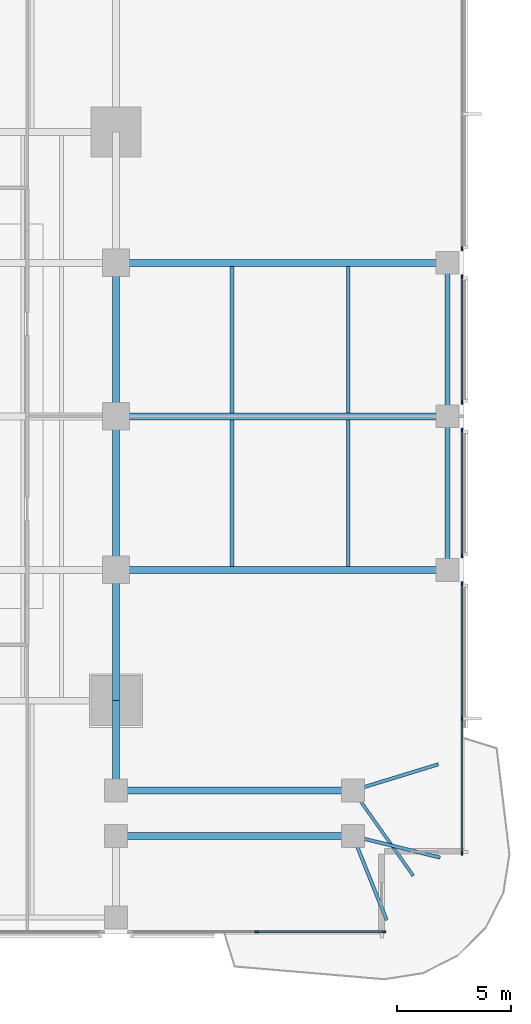
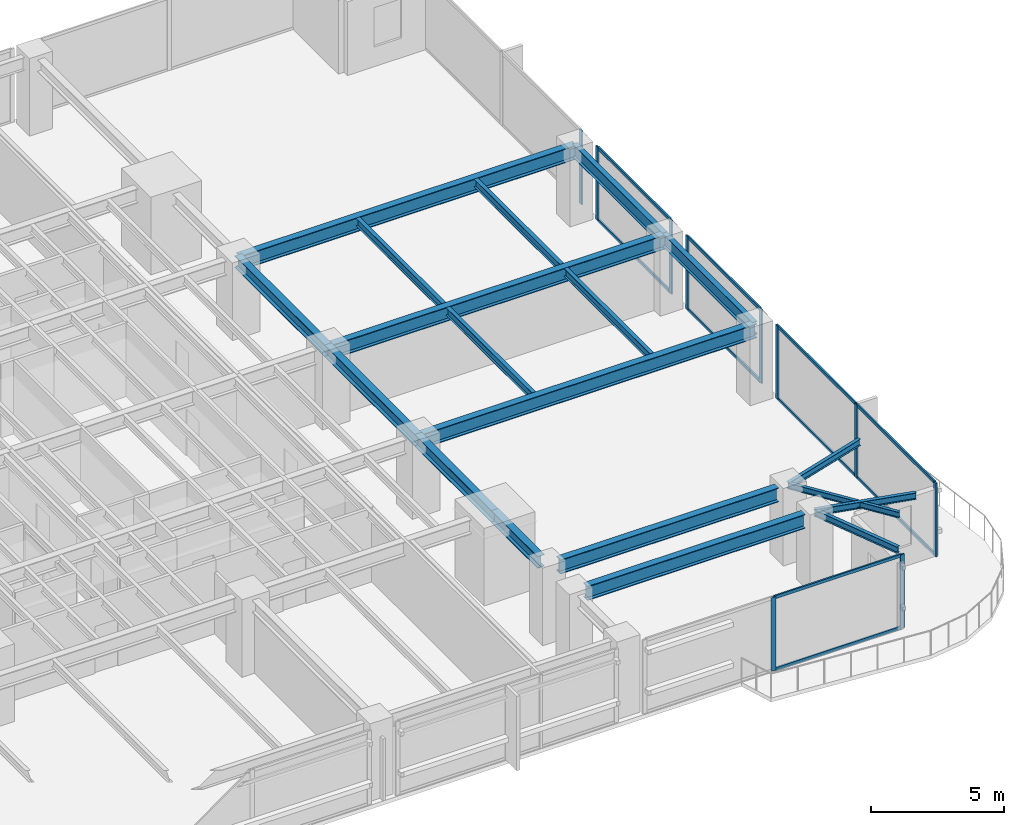
# One storey, part 4 of 15: 20 members, 19 beams, 5 elements without a shape of their own.
"""IFC4 building model written with IfcOpenShell, lengths in metres."""

from ifc_helpers import new_model, si_unit, direction, frame, origin, origin_2d, place, context, subcontext, project, spatial, rectangle, i_section, extrude, material, layer, layer_set, material_profile, profile_set, type_object, element, aggregate, save


model = new_model("IFC4")

# Units and contexts
model_context = context("Model", 3, precision=1e-05, world=origin(), true_north=direction((0.0, 1.0)))
body_context = subcontext(model_context, "Body", "Model", "MODEL_VIEW")
ifc_project = project(units=[si_unit("LENGTHUNIT", "METRE"), si_unit("AREAUNIT", "SQUARE_METRE"), si_unit("VOLUMEUNIT", "CUBIC_METRE"), si_unit("PLANEANGLEUNIT", "RADIAN"), si_unit("MASSUNIT", "GRAM", prefix="KILO")], contexts=[model_context])

# Site, building, storey
site_placement = place(None, origin())
site = spatial("IfcSite", under=ifc_project, at=site_placement, CompositionType="ELEMENT")
building_placement = place(site_placement, origin())
building = spatial("IfcBuilding", under=site, at=building_placement, Name="Kinhvarn Gate Tower", CompositionType="ELEMENT")
storey_placement = place(building_placement, frame((0.0, 0.0, 43.35009765625)))
storey = spatial("IfcBuildingStorey", under=building, at=storey_placement, Name="L10", CompositionType="ELEMENT", Elevation=43.35009765625)

# Curtain wall, members
ifc_material_1 = material(Name="Anodised aluminium AW-6063", Category="aluminium")
ifc_layer = layer(ifc_material_1, 0.179931640625)
ifc_layer_set = layer_set([ifc_layer], Name="Anodised aluminium AW-6063")
curtain_wall_type = type_object("IfcCurtainWallType", Name="CW-SYS-2", PredefinedType="NOTDEFINED", material=ifc_layer_set)
curtain_wall_1_placement = place(storey_placement, origin())
curtain_wall_1 = element("IfcCurtainWall", 1, at=curtain_wall_1_placement, inside=storey, type_object=curtain_wall_type, Name="Curtain Wall CW2 (L10)", PredefinedType="NOTDEFINED")
ifc_material_profile_1 = material_profile(ifc_material_1, rectangle(XDim=0.070068359375, YDim=0.179931640625, at=origin_2d()), Name="ALU 70x180")
ifc_profile_set_1 = profile_set([ifc_material_profile_1], Name="Anodised aluminium AW-6063")
member_type_1 = type_object("IfcMemberType", Name="CW-MUL-180", PredefinedType="MULLION", material=ifc_profile_set_1)
member_1_placement = place(storey_placement, frame((44.389892578125, 2.590087890625, 0.0), z_axis=(0.0, 0.0, 1.0), x_axis=(0.0, 1.0, 0.0)))
member_1 = element("IfcMember", 2, at=member_1_placement, type_object=member_type_1, Name="CW2 mullion 2", PredefinedType="MULLION", context=body_context, shape_type="SweptSolid", body=[
    extrude(rectangle(XDim=0.070068359375, YDim=0.179931640625, at=origin_2d()), origin(), (0.0, 0.0, 1.0), 3.369873046875),
])
member_2_placement = place(storey_placement, frame((49.965087890625, 2.590087890625, 0.0), z_axis=(0.0, 0.0, 1.0), x_axis=(0.0, 1.0, 0.0)))
member_2 = element("IfcMember", 3, at=member_2_placement, type_object=member_type_1, Name="CW2 mullion 3", PredefinedType="MULLION", context=body_context, shape_type="SweptSolid", body=[
    extrude(rectangle(XDim=0.070068359375, YDim=0.179931640625, at=origin_2d()), origin(), (0.0, 0.0, 1.0), 3.369873046875),
])

curtain_wall_2_placement = place(storey_placement, origin())
curtain_wall_2 = element("IfcCurtainWall", 4, at=curtain_wall_2_placement, inside=storey, type_object=curtain_wall_type, Name="Curtain Wall CW2 (L10)", PredefinedType="NOTDEFINED")
member_3_placement = place(storey_placement, frame((53.409912109375, 6.034912109375, 0.0), z_axis=(0.0, 0.0, 1.0), x_axis=(-1.0, 0.0, 0.0)))
member_3 = element("IfcMember", 5, at=member_3_placement, type_object=member_type_1, Name="CW2 mullion 1", PredefinedType="MULLION", context=body_context, shape_type="SweptSolid", body=[
    extrude(rectangle(XDim=0.070068359375, YDim=0.179931640625, at=origin_2d()), origin(), (0.0, 0.0, 1.0), 3.369873046875),
])
member_4_placement = place(storey_placement, frame((53.409912109375, 11.9599609375, 0.0), z_axis=(0.0, 0.0, 1.0), x_axis=(-1.0, 0.0, 0.0)))
member_4 = element("IfcMember", 6, at=member_4_placement, type_object=member_type_1, Name="CW2 mullion 2", PredefinedType="MULLION", context=body_context, shape_type="SweptSolid", body=[
    extrude(rectangle(XDim=0.070068359375, YDim=0.179931640625, at=origin_2d()), origin(), (0.0, 0.0, 1.0), 3.369873046875),
])
member_5_placement = place(storey_placement, frame((53.409912109375, 17.885009765625, 0.0), z_axis=(0.0, 0.0, 1.0), x_axis=(-1.0, 0.0, 0.0)))
member_5 = element("IfcMember", 7, at=member_5_placement, type_object=member_type_1, Name="CW2 mullion 3", PredefinedType="MULLION", context=body_context, shape_type="SweptSolid", body=[
    extrude(rectangle(XDim=0.070068359375, YDim=0.179931640625, at=origin_2d()), origin(), (0.0, 0.0, 1.0), 3.369873046875),
])

curtain_wall_3_placement = place(storey_placement, origin())
curtain_wall_3 = element("IfcCurtainWall", 8, at=curtain_wall_3_placement, inside=storey, type_object=curtain_wall_type, Name="Curtain Wall CW2 (L10)", PredefinedType="NOTDEFINED")
member_6_placement = place(storey_placement, frame((53.409912109375, 19.114990234375, 0.0), z_axis=(0.0, 0.0, 1.0), x_axis=(-1.0, 0.0, 0.0)))
member_6 = element("IfcMember", 9, at=member_6_placement, type_object=member_type_1, Name="CW2 mullion 1", PredefinedType="MULLION", context=body_context, shape_type="SweptSolid", body=[
    extrude(rectangle(XDim=0.070068359375, YDim=0.179931640625, at=origin_2d()), origin(), (0.0, 0.0, 1.0), 3.369873046875),
])
member_7_placement = place(storey_placement, frame((53.409912109375, 24.635009765625, 0.0), z_axis=(0.0, 0.0, 1.0), x_axis=(-1.0, 0.0, 0.0)))
member_7 = element("IfcMember", 10, at=member_7_placement, type_object=member_type_1, Name="CW2 mullion 2", PredefinedType="MULLION", context=body_context, shape_type="SweptSolid", body=[
    extrude(rectangle(XDim=0.070068359375, YDim=0.179931640625, at=origin_2d()), origin(), (0.0, 0.0, 1.0), 3.369873046875),
])

curtain_wall_4_placement = place(storey_placement, origin())
curtain_wall_4 = element("IfcCurtainWall", 11, at=curtain_wall_4_placement, inside=storey, type_object=curtain_wall_type, Name="Curtain Wall CW2 (L10)", PredefinedType="NOTDEFINED")
member_8_placement = place(storey_placement, frame((53.409912109375, 25.864990234375, 0.0), z_axis=(0.0, 0.0, 1.0), x_axis=(-1.0, 0.0, 0.0)))
member_8 = element("IfcMember", 12, at=member_8_placement, type_object=member_type_1, Name="CW2 mullion 1", PredefinedType="MULLION", context=body_context, shape_type="SweptSolid", body=[
    extrude(rectangle(XDim=0.070068359375, YDim=0.179931640625, at=origin_2d()), origin(), (0.0, 0.0, 1.0), 3.369873046875),
])
member_9_placement = place(storey_placement, frame((53.409912109375, 31.385009765625, 0.0), z_axis=(0.0, 0.0, 1.0), x_axis=(-1.0, 0.0, 0.0)))
member_9 = element("IfcMember", 13, at=member_9_placement, type_object=member_type_1, Name="CW2 mullion 2", PredefinedType="MULLION", context=body_context, shape_type="SweptSolid", body=[
    extrude(rectangle(XDim=0.070068359375, YDim=0.179931640625, at=origin_2d()), origin(), (0.0, 0.0, 1.0), 3.369873046875),
])

# Curtain wall, member
curtain_wall_5_placement = place(storey_placement, origin())
curtain_wall_5 = element("IfcCurtainWall", 14, at=curtain_wall_5_placement, inside=storey, type_object=curtain_wall_type, Name="Curtain Wall CW2 (L10)", PredefinedType="NOTDEFINED")
member_10_placement = place(storey_placement, frame((53.409912109375, 32.614990234375, 0.0), z_axis=(0.0, 0.0, 1.0), x_axis=(-1.0, 0.0, 0.0)))
member_10 = element("IfcMember", 15, at=member_10_placement, type_object=member_type_1, Name="CW2 mullion 1", PredefinedType="MULLION", context=body_context, shape_type="SweptSolid", body=[
    extrude(rectangle(XDim=0.070068359375, YDim=0.179931640625, at=origin_2d()), origin(), (0.0, 0.0, 1.0), 3.369873046875),
])
aggregate(curtain_wall_5, [member_10])

# Member
ifc_material_profile_2 = material_profile(ifc_material_1, rectangle(XDim=0.070068359375, YDim=0.139892578125, at=origin_2d()), Name="ALU 70x140")
ifc_profile_set_2 = profile_set([ifc_material_profile_2], Name="Anodised aluminium AW-6063")
member_type_2 = type_object("IfcMemberType", Name="CW-TRN-140", PredefinedType="USERDEFINED", material=ifc_profile_set_2)
member_11_placement = place(storey_placement, frame((44.425048828125, 2.590087890625, 0.034912109375), z_axis=(1.0, 0.0, 0.0), x_axis=(0.0, 1.0, 0.0)))
member_11 = element("IfcMember", 16, at=member_11_placement, type_object=member_type_2, Name="CW2 transom 2.1", ObjectType="TRANSOM", PredefinedType="USERDEFINED", context=body_context, shape_type="SweptSolid", body=[
    extrude(rectangle(XDim=0.070068359375, YDim=0.139892578125, at=origin_2d()), origin(), (0.0, 0.0, 1.0), 5.5048828125),
])

member_12_placement = place(storey_placement, frame((44.425048828125, 2.590087890625, 3.3349609375), z_axis=(1.0, 0.0, 0.0), x_axis=(0.0, 1.0, 0.0)))
member_12 = element("IfcMember", 17, at=member_12_placement, type_object=member_type_2, Name="CW2 transom 2.2", ObjectType="TRANSOM", PredefinedType="USERDEFINED", context=body_context, shape_type="SweptSolid", body=[
    extrude(rectangle(XDim=0.070068359375, YDim=0.139892578125, at=origin_2d()), origin(), (0.0, 0.0, 1.0), 5.5048828125),
])

aggregate(curtain_wall_1, [member_1, member_2, member_11, member_12])

member_13_placement = place(storey_placement, frame((53.409912109375, 6.070068359375, 0.034912109375), z_axis=(0.0, 1.0, 0.0), x_axis=(-1.0, 0.0, 0.0)))
member_13 = element("IfcMember", 18, at=member_13_placement, type_object=member_type_2, Name="CW2 transom 1.1", ObjectType="TRANSOM", PredefinedType="USERDEFINED", context=body_context, shape_type="SweptSolid", body=[
    extrude(rectangle(XDim=0.070068359375, YDim=0.139892578125, at=origin_2d()), origin(), (0.0, 0.0, 1.0), 5.85498046875),
])

member_14_placement = place(storey_placement, frame((53.409912109375, 6.070068359375, 3.3349609375), z_axis=(0.0, 1.0, 0.0), x_axis=(-1.0, 0.0, 0.0)))
member_14 = element("IfcMember", 19, at=member_14_placement, type_object=member_type_2, Name="CW2 transom 1.2", ObjectType="TRANSOM", PredefinedType="USERDEFINED", context=body_context, shape_type="SweptSolid", body=[
    extrude(rectangle(XDim=0.070068359375, YDim=0.139892578125, at=origin_2d()), origin(), (0.0, 0.0, 1.0), 5.85498046875),
])

member_15_placement = place(storey_placement, frame((53.409912109375, 11.9951171875, 0.034912109375), z_axis=(0.0, 1.0, 0.0), x_axis=(-1.0, 0.0, 0.0)))
member_15 = element("IfcMember", 20, at=member_15_placement, type_object=member_type_2, Name="CW2 transom 2.1", ObjectType="TRANSOM", PredefinedType="USERDEFINED", context=body_context, shape_type="SweptSolid", body=[
    extrude(rectangle(XDim=0.070068359375, YDim=0.139892578125, at=origin_2d()), origin(), (0.0, 0.0, 1.0), 5.85498046875),
])

member_16_placement = place(storey_placement, frame((53.409912109375, 11.9951171875, 3.3349609375), z_axis=(0.0, 1.0, 0.0), x_axis=(-1.0, 0.0, 0.0)))
member_16 = element("IfcMember", 21, at=member_16_placement, type_object=member_type_2, Name="CW2 transom 2.2", ObjectType="TRANSOM", PredefinedType="USERDEFINED", context=body_context, shape_type="SweptSolid", body=[
    extrude(rectangle(XDim=0.070068359375, YDim=0.139892578125, at=origin_2d()), origin(), (0.0, 0.0, 1.0), 5.85498046875),
])

aggregate(curtain_wall_2, [member_3, member_4, member_5, member_13, member_14, member_15, member_16])

member_17_placement = place(storey_placement, frame((53.409912109375, 19.14990234375, 0.034912109375), z_axis=(0.0, 1.0, 0.0), x_axis=(-1.0, 0.0, 0.0)))
member_17 = element("IfcMember", 22, at=member_17_placement, type_object=member_type_2, Name="CW2 transom 1.1", ObjectType="TRANSOM", PredefinedType="USERDEFINED", context=body_context, shape_type="SweptSolid", body=[
    extrude(rectangle(XDim=0.070068359375, YDim=0.139892578125, at=origin_2d()), origin(), (0.0, 0.0, 1.0), 5.4501953125),
])

member_18_placement = place(storey_placement, frame((53.409912109375, 19.14990234375, 3.3349609375), z_axis=(0.0, 1.0, 0.0), x_axis=(-1.0, 0.0, 0.0)))
member_18 = element("IfcMember", 23, at=member_18_placement, type_object=member_type_2, Name="CW2 transom 1.2", ObjectType="TRANSOM", PredefinedType="USERDEFINED", context=body_context, shape_type="SweptSolid", body=[
    extrude(rectangle(XDim=0.070068359375, YDim=0.139892578125, at=origin_2d()), origin(), (0.0, 0.0, 1.0), 5.4501953125),
])

aggregate(curtain_wall_3, [member_6, member_7, member_17, member_18])

member_19_placement = place(storey_placement, frame((53.409912109375, 25.89990234375, 0.034912109375), z_axis=(0.0, 1.0, 0.0), x_axis=(-1.0, 0.0, 0.0)))
member_19 = element("IfcMember", 24, at=member_19_placement, type_object=member_type_2, Name="CW2 transom 1.1", ObjectType="TRANSOM", PredefinedType="USERDEFINED", context=body_context, shape_type="SweptSolid", body=[
    extrude(rectangle(XDim=0.070068359375, YDim=0.139892578125, at=origin_2d()), origin(), (0.0, 0.0, 1.0), 5.4501953125),
])

member_20_placement = place(storey_placement, frame((53.409912109375, 25.89990234375, 3.3349609375), z_axis=(0.0, 1.0, 0.0), x_axis=(-1.0, 0.0, 0.0)))
member_20 = element("IfcMember", 25, at=member_20_placement, type_object=member_type_2, Name="CW2 transom 1.2", ObjectType="TRANSOM", PredefinedType="USERDEFINED", context=body_context, shape_type="SweptSolid", body=[
    extrude(rectangle(XDim=0.070068359375, YDim=0.139892578125, at=origin_2d()), origin(), (0.0, 0.0, 1.0), 5.4501953125),
])

aggregate(curtain_wall_4, [member_8, member_9, member_19, member_20])

# Beams
ifc_material_2 = material(Name="Steel S355", Category="steel")
ifc_material_profile_3 = material_profile(ifc_material_2, i_section(OverallWidth=0.300048828125, OverallDepth=0.550048828125, WebThickness=0.014892578125, FlangeThickness=0.029052734375, at=origin_2d()), Name="HEB 550")
ifc_profile_set_3 = profile_set([ifc_material_profile_3], Name="Steel S355")
beam_type_1 = type_object("IfcBeamType", Name="STL-HEB550", PredefinedType="BEAM", material=ifc_profile_set_3)
beam_1_placement = place(storey_placement, frame((38.199951171875, 9.284912109375, 3.094970703125), z_axis=(0.0, 1.0, 0.0), x_axis=(-1.0, 0.0, 0.0)))
element("IfcBeam", 26, at=beam_1_placement, inside=storey, type_object=beam_type_1, Name="Floor Beam PG-15 (L10 MCE-S-A2)", PredefinedType="BEAM", context=body_context, shape_type="SweptSolid", body=[
    extrude(i_section(OverallWidth=0.300048828125, OverallDepth=0.550048828125, WebThickness=0.014892578125, FlangeThickness=0.029052734375, at=origin_2d()), origin(), (0.0, 0.0, 1.0), 3.465087890625),
])
beam_2_placement = place(storey_placement, frame((38.199951171875, 12.75, 3.094970703125), z_axis=(0.0, 1.0, 0.0), x_axis=(-1.0, 0.0, 0.0)))
element("IfcBeam", 27, at=beam_2_placement, inside=storey, type_object=beam_type_1, Name="Floor Beam PG-15 (L10 MG-E-12)", PredefinedType="BEAM", context=body_context, shape_type="SweptSolid", body=[
    extrude(i_section(OverallWidth=0.300048828125, OverallDepth=0.550048828125, WebThickness=0.014892578125, FlangeThickness=0.029052734375, at=origin_2d()), origin(), (0.0, 0.0, 1.0), 5.75),
])
for number, where, z_axis, x_axis, name in (
    (28, (38.199951171875, 18.5, 3.094970703125), (0.0, 1.0, 0.0), (-1.0, 0.0, 0.0), "Floor Beam PG-15 (L10 MG-E-18)"),
    (29, (38.199951171875, 25.25, 3.094970703125), (0.0, 1.0, 0.0), (-1.0, 0.0, 0.0), "Floor Beam PG-15 (L10 MG-E-25)"),
):
    element("IfcBeam", number, at=place(storey_placement, frame(where, z_axis=z_axis, x_axis=x_axis)), inside=storey, type_object=beam_type_1, Name=name, PredefinedType="BEAM", context=body_context, shape_type="SweptSolid", body=[
        extrude(i_section(OverallWidth=0.300048828125, OverallDepth=0.550048828125, WebThickness=0.014892578125, FlangeThickness=0.029052734375, at=origin_2d()), origin(), (0.0, 0.0, 1.0), 6.75),
    ])
ifc_material_profile_4 = material_profile(ifc_material_2, i_section(OverallWidth=0.300048828125, OverallDepth=0.64990234375, WebThickness=0.01611328125, FlangeThickness=0.031005859375, at=origin_2d()), Name="HEB 650")
ifc_profile_set_4 = profile_set([ifc_material_profile_4], Name="Steel S355")
beam_type_2 = type_object("IfcBeamType", Name="STL-HEB650", PredefinedType="BEAM", material=ifc_profile_set_4)
for number, where, z_axis, x_axis, name in (
    (30, (38.68505859375, 8.800048828125, 3.044921875), (1.0, 0.0, 0.0), (0.0, 1.0, 0.0), "Floor Beam PG-17 (L10 SP-SE1B)"),
    (31, (38.68505859375, 6.800048828125, 3.044921875), (1.0, 0.0, 0.0), (0.0, 1.0, 0.0), "Floor Beam PG-17 (L10 SP-SE1A)"),
):
    element("IfcBeam", number, at=place(storey_placement, frame(where, z_axis=z_axis, x_axis=x_axis)), inside=storey, type_object=beam_type_2, Name=name, PredefinedType="BEAM", context=body_context, shape_type="SweptSolid", body=[
        extrude(i_section(OverallWidth=0.300048828125, OverallDepth=0.64990234375, WebThickness=0.01611328125, FlangeThickness=0.031005859375, at=origin_2d()), origin(), (0.0, 0.0, 1.0), 9.449951171875),
    ])
for number, where, z_axis, x_axis, name in (
    (32, (38.199951171875, 18.5, 3.044921875), (1.0, 0.0, 0.0), (0.0, 1.0, 0.0), "Floor Beam PG-17 (L10 EW2-Y18)"),
    (33, (38.199951171875, 25.25, 3.044921875), (1.0, 0.0, 0.0), (0.0, 1.0, 0.0), "Floor Beam PG-17 (L10 EW2-Y25)"),
    (34, (38.199951171875, 32.0, 3.044921875), (1.0, 0.0, 0.0), (0.0, 1.0, 0.0), "Floor Beam PG-17 (L10 EW2-Y32)"),
):
    element("IfcBeam", number, at=place(storey_placement, frame(where, z_axis=z_axis, x_axis=x_axis)), inside=storey, type_object=beam_type_2, Name=name, PredefinedType="BEAM", context=body_context, shape_type="SweptSolid", body=[
        extrude(i_section(OverallWidth=0.300048828125, OverallDepth=0.64990234375, WebThickness=0.01611328125, FlangeThickness=0.031005859375, at=origin_2d()), origin(), (0.0, 0.0, 1.0), 14.580078125),
    ])
ifc_material_profile_5 = material_profile(ifc_material_2, i_section(OverallWidth=0.135009765625, OverallDepth=0.27001953125, WebThickness=0.006591796875, FlangeThickness=0.01025390625, at=origin_2d()), Name="IPE 270")
ifc_profile_set_5 = profile_set([ifc_material_profile_5], Name="Steel S355")
beam_type_3 = type_object("IfcBeamType", Name="STL-IPE270", PredefinedType="JOIST", material=ifc_profile_set_5)
beam_3_placement = place(storey_placement, frame((48.6201171875, 8.800048828125, 3.23486328125), z_axis=(0.57709644225, -0.81667600451, 0.0), x_axis=(0.81667600451, 0.57709644225, 0.0)))
element("IfcBeam", 35, at=beam_3_placement, inside=storey, type_object=beam_type_3, Name="Floor Joist SB-01 (L10 BAL-B3-L11)", PredefinedType="JOIST", context=body_context, shape_type="SweptSolid", body=[
    extrude(i_section(OverallWidth=0.135009765625, OverallDepth=0.27001953125, WebThickness=0.006591796875, FlangeThickness=0.01025390625, at=origin_2d()), origin(), (0.0, 0.0, 1.0), 4.591796875),
])
ifc_material_profile_6 = material_profile(ifc_material_2, i_section(OverallWidth=0.14990234375, OverallDepth=0.300048828125, WebThickness=0.007080078125, FlangeThickness=0.0107421875, at=origin_2d()), Name="IPE 300")
ifc_profile_set_6 = profile_set([ifc_material_profile_6], Name="Steel S355")
beam_type_4 = type_object("IfcBeamType", Name="STL-IPE300", PredefinedType="JOIST", material=ifc_profile_set_6)
beam_4_placement = place(storey_placement, frame((48.6201171875, 6.800048828125, 3.219970703125), z_axis=(0.97058851083, -0.240744558911, 0.0), x_axis=(0.240744558911, 0.97058851083, 0.0)))
element("IfcBeam", 36, at=beam_4_placement, inside=storey, type_object=beam_type_4, Name="Floor Joist SB-02 (L10 BAL-B1-L11)", PredefinedType="JOIST", context=body_context, shape_type="SweptSolid", body=[
    extrude(i_section(OverallWidth=0.14990234375, OverallDepth=0.300048828125, WebThickness=0.007080078125, FlangeThickness=0.0107421875, at=origin_2d()), origin(), (0.0, 0.0, 1.0), 3.94580078125),
])
beam_5_placement = place(storey_placement, frame((48.6201171875, 6.800048828125, 3.219970703125), z_axis=(0.371390676354, -0.928476690885, 0.0), x_axis=(0.928476690885, 0.371390676354, 0.0)))
element("IfcBeam", 37, at=beam_5_placement, inside=storey, type_object=beam_type_4, Name="Floor Joist SB-02 (L10 BAL-B2-L11)", PredefinedType="JOIST", context=body_context, shape_type="SweptSolid", body=[
    extrude(i_section(OverallWidth=0.14990234375, OverallDepth=0.300048828125, WebThickness=0.007080078125, FlangeThickness=0.0107421875, at=origin_2d()), origin(), (0.0, 0.0, 1.0), 3.98486328125),
])
beam_6_placement = place(storey_placement, frame((48.6201171875, 8.800048828125, 3.219970703125), z_axis=(0.95606118681, 0.293167199862, 0.0), x_axis=(-0.293167199862, 0.95606118681, 0.0)))
element("IfcBeam", 38, at=beam_6_placement, inside=storey, type_object=beam_type_4, Name="Floor Joist SB-02 (L10 BAL-B5-L11)", PredefinedType="JOIST", context=body_context, shape_type="SweptSolid", body=[
    extrude(i_section(OverallWidth=0.14990234375, OverallDepth=0.300048828125, WebThickness=0.007080078125, FlangeThickness=0.0107421875, at=origin_2d()), origin(), (0.0, 0.0, 1.0), 3.92236328125),
])
ifc_material_profile_7 = material_profile(ifc_material_2, i_section(OverallWidth=0.169921875, OverallDepth=0.360107421875, WebThickness=0.008056640625, FlangeThickness=0.0126953125, at=origin_2d()), Name="IPE 360")
ifc_profile_set_7 = profile_set([ifc_material_profile_7], Name="Steel S355")
beam_type_5 = type_object("IfcBeamType", Name="STL-IPE360", PredefinedType="JOIST", material=ifc_profile_set_7)
for number, where, z_axis, x_axis, name in (
    (39, (43.300048828125, 18.64990234375, 3.18994140625), (0.0, 1.0, 0.0), (-1.0, 0.0, 0.0), "Floor Joist SB-04 (L10 JC-X433-1)"),
    (40, (43.300048828125, 25.39990234375, 3.18994140625), (0.0, 1.0, 0.0), (-1.0, 0.0, 0.0), "Floor Joist SB-04 (L10 JC-X433-2)"),
    (41, (48.409912109375, 18.64990234375, 3.18994140625), (0.0, 1.0, 0.0), (-1.0, 0.0, 0.0), "Floor Joist SB-04 (L10 JC-X484-1)"),
    (42, (48.409912109375, 25.39990234375, 3.18994140625), (0.0, 1.0, 0.0), (-1.0, 0.0, 0.0), "Floor Joist SB-04 (L10 JC-X484-2)"),
):
    element("IfcBeam", number, at=place(storey_placement, frame(where, z_axis=z_axis, x_axis=x_axis)), inside=storey, type_object=beam_type_5, Name=name, PredefinedType="JOIST", context=body_context, shape_type="SweptSolid", body=[
        extrude(i_section(OverallWidth=0.169921875, OverallDepth=0.360107421875, WebThickness=0.008056640625, FlangeThickness=0.0126953125, at=origin_2d()), origin(), (0.0, 0.0, 1.0), 6.4501953125),
    ])
ifc_material_profile_8 = material_profile(ifc_material_2, i_section(OverallWidth=0.219970703125, OverallDepth=0.60009765625, WebThickness=0.011962890625, FlangeThickness=0.01904296875, at=origin_2d()), Name="IPE 600")
ifc_profile_set_8 = profile_set([ifc_material_profile_8], Name="Steel S355")
beam_type_6 = type_object("IfcBeamType", Name="STL-IPE600", PredefinedType="SPANDREL", material=ifc_profile_set_8)
for number, where, z_axis, x_axis, name in (
    (43, (52.780029296875, 18.5, 3.06982421875), (0.0, 1.0, 0.0), (-1.0, 0.0, 0.0), "Floor Spandrel SB-09 (L10 SP-E2)"),
    (44, (52.780029296875, 25.25, 3.06982421875), (0.0, 1.0, 0.0), (-1.0, 0.0, 0.0), "Floor Spandrel SB-09 (L10 SP-E3)"),
):
    element("IfcBeam", number, at=place(storey_placement, frame(where, z_axis=z_axis, x_axis=x_axis)), inside=storey, type_object=beam_type_6, Name=name, PredefinedType="SPANDREL", context=body_context, shape_type="SweptSolid", body=[
        extrude(i_section(OverallWidth=0.219970703125, OverallDepth=0.60009765625, WebThickness=0.011962890625, FlangeThickness=0.01904296875, at=origin_2d()), origin(), (0.0, 0.0, 1.0), 6.75),
    ])

save(model, "model.ifc")
